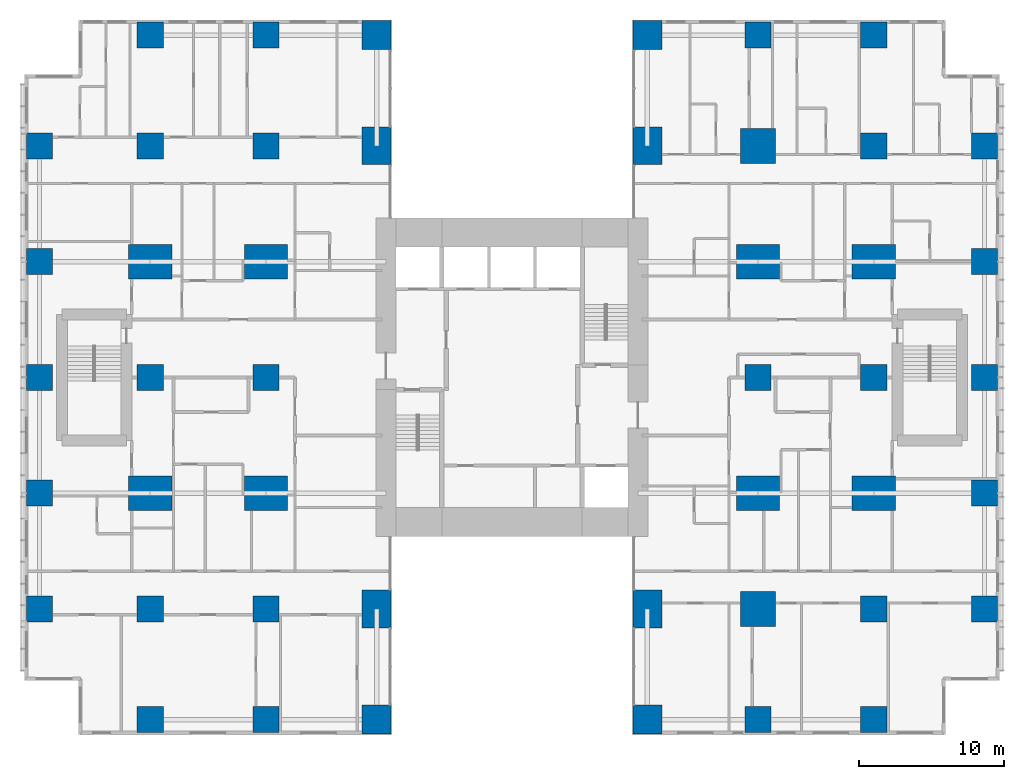
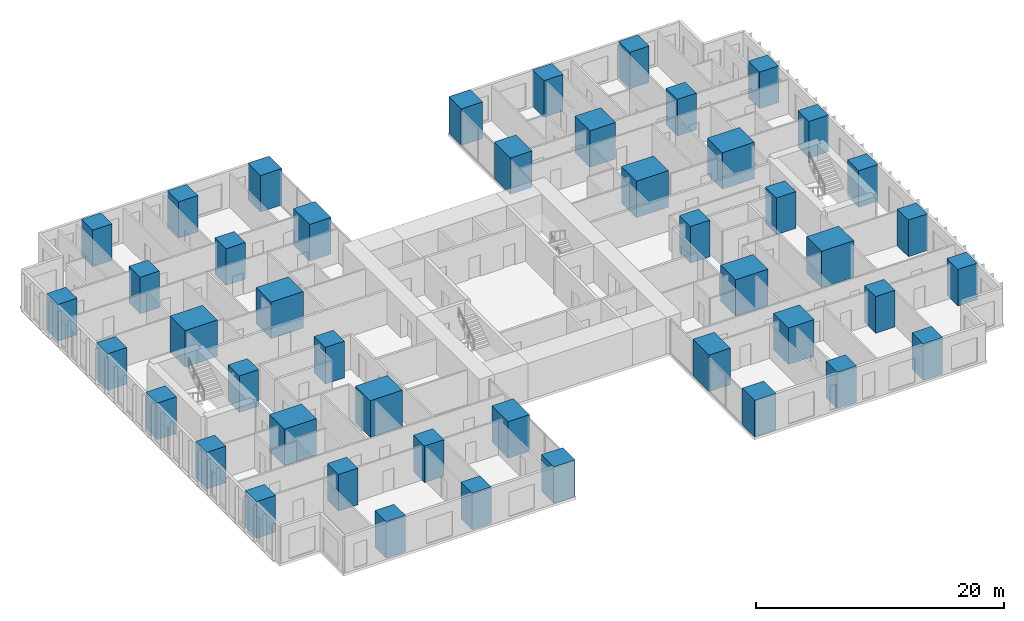
# One storey, part 1 of 20: 46 columns.
"""IFC4 building model written with IfcOpenShell, lengths in metres."""

from ifc_helpers import new_model, si_unit, direction, frame, origin, origin_2d, place, context, subcontext, project, spatial, rectangle, extrude, material, material_profile, profile_set, type_object, element, save


model = new_model("IFC4")

# Units and contexts
model_context = context("Model", 3, precision=1e-05, world=origin(), true_north=direction((0.0, 1.0)))
body_context = subcontext(model_context, "Body", "Model", "MODEL_VIEW")
ifc_project = project(units=[si_unit("LENGTHUNIT", "METRE"), si_unit("AREAUNIT", "SQUARE_METRE"), si_unit("VOLUMEUNIT", "CUBIC_METRE"), si_unit("PLANEANGLEUNIT", "RADIAN"), si_unit("MASSUNIT", "GRAM", prefix="KILO")], contexts=[model_context])

# Site, building, storey
site_placement = place(None, origin())
site = spatial("IfcSite", under=ifc_project, at=site_placement, CompositionType="ELEMENT")
building_placement = place(site_placement, origin())
building = spatial("IfcBuilding", under=site, at=building_placement, Name="Cleftline Residences", CompositionType="ELEMENT")
storey_placement = place(building_placement, frame((0.0, 0.0, 196.60009765625)))
storey = spatial("IfcBuildingStorey", under=building, at=storey_placement, Name="L51", CompositionType="ELEMENT", Elevation=196.60009765625)

# Columns
ifc_material_1 = material(Name="Concrete B70", Category="concrete")
ifc_material_profile_1 = material_profile(ifc_material_1, rectangle(XDim=1.800048828125, YDim=1.800048828125, at=origin_2d()))
ifc_profile_set_1 = profile_set([ifc_material_profile_1], Name="Concrete B70")
column_type_1 = type_object("IfcColumnType", Name="COLUMN RC1800X1800", PredefinedType="COLUMN", material=ifc_profile_set_1)
for number, where, z_axis, x_axis, name in (
    (1, (0.35009765625, 8.0, 0.0), (0.0, 0.0, 1.0), (1.0, 0.0, 0.0), "Column D/3"),
    (2, (0.35009765625, 16.0, 0.0), (0.0, 0.0, 1.0), (1.0, 0.0, 0.0), "Column E/3"),
    (3, (0.35009765625, 24.0, 0.0), (0.0, 0.0, 1.0), (1.0, 0.0, 0.0), "Column F/3"),
    (4, (0.35009765625, 32.0, 0.0), (0.0, 0.0, 1.0), (1.0, 0.0, 0.0), "Column G/3"),
    (5, (0.35009765625, 40.0, 0.0), (0.0, 0.0, 1.0), (1.0, 0.0, 0.0), "Column H/3"),
    (6, (8.0, 0.35009765625, 0.0), (0.0, 0.0, 1.0), (1.0, 0.0, 0.0), "Column C/4"),
    (7, (8.0, 8.0, 0.0), (0.0, 0.0, 1.0), (1.0, 0.0, 0.0), "Column D/4"),
    (8, (8.0, 24.0, 0.0), (0.0, 0.0, 1.0), (1.0, 0.0, 0.0), "Column F/4"),
    (9, (8.0, 40.0, 0.0), (0.0, 0.0, 1.0), (1.0, 0.0, 0.0), "Column H/4"),
    (10, (8.0, 47.64990234375, 0.0), (0.0, 0.0, 1.0), (1.0, 0.0, 0.0), "Column J/4"),
    (11, (16.0, 0.35009765625, 0.0), (0.0, 0.0, 1.0), (1.0, 0.0, 0.0), "Column C/5"),
    (12, (16.0, 8.0, 0.0), (0.0, 0.0, 1.0), (1.0, 0.0, 0.0), "Column D/5"),
    (13, (16.0, 24.0, 0.0), (0.0, 0.0, 1.0), (1.0, 0.0, 0.0), "Column F/5"),
    (14, (16.0, 40.0, 0.0), (0.0, 0.0, 1.0), (1.0, 0.0, 0.0), "Column H/5"),
    (15, (16.0, 47.64990234375, 0.0), (0.0, 0.0, 1.0), (1.0, 0.0, 0.0), "Column J/5"),
    (16, (50.0, 0.35009765625, 0.0), (0.0, 0.0, 1.0), (1.0, 0.0, 0.0), "Column C/9"),
    (17, (50.0, 24.0, 0.0), (0.0, 0.0, 1.0), (1.0, 0.0, 0.0), "Column F/9"),
    (18, (50.0, 47.64990234375, 0.0), (0.0, 0.0, 1.0), (1.0, 0.0, 0.0), "Column J/9"),
    (19, (58.0, 0.35009765625, 0.0), (0.0, 0.0, 1.0), (1.0, 0.0, 0.0), "Column C/10"),
    (20, (58.0, 8.0, 0.0), (0.0, 0.0, 1.0), (1.0, 0.0, 0.0), "Column D/10"),
    (21, (58.0, 24.0, 0.0), (0.0, 0.0, 1.0), (1.0, 0.0, 0.0), "Column F/10"),
    (22, (58.0, 40.0, 0.0), (0.0, 0.0, 1.0), (1.0, 0.0, 0.0), "Column H/10"),
    (23, (58.0, 47.64990234375, 0.0), (0.0, 0.0, 1.0), (1.0, 0.0, 0.0), "Column J/10"),
    (24, (65.64990234375, 8.0, 0.0), (0.0, 0.0, 1.0), (1.0, 0.0, 0.0), "Column D/11"),
    (25, (65.64990234375, 16.0, 0.0), (0.0, 0.0, 1.0), (1.0, 0.0, 0.0), "Column E/11"),
    (26, (65.64990234375, 24.0, 0.0), (0.0, 0.0, 1.0), (1.0, 0.0, 0.0), "Column F/11"),
    (27, (65.64990234375, 32.0, 0.0), (0.0, 0.0, 1.0), (1.0, 0.0, 0.0), "Column G/11"),
    (28, (65.64990234375, 40.0, 0.0), (0.0, 0.0, 1.0), (1.0, 0.0, 0.0), "Column H/11"),
):
    element("IfcColumn", number, at=place(storey_placement, frame(where, z_axis=z_axis, x_axis=x_axis)), inside=storey, type_object=column_type_1, Name=name, PredefinedType="COLUMN", context=body_context, shape_type="SweptSolid", body=[
        extrude(rectangle(XDim=1.800048828125, YDim=1.800048828125, at=origin_2d()), origin(), (0.0, 0.0, 1.0), 3.599853515625),
    ])
ifc_material_2 = material(Name="Concrete B70", Category="concrete")
ifc_material_profile_2 = material_profile(ifc_material_2, rectangle(XDim=2.0, YDim=2.0, at=origin_2d()))
ifc_profile_set_2 = profile_set([ifc_material_profile_2], Name="Concrete B70")
column_type_2 = type_object("IfcColumnType", Name="COLUMN RC2000X2000", PredefinedType="COLUMN", material=ifc_profile_set_2)
for number, where, z_axis, x_axis, name in (
    (29, (23.64990234375, 0.35009765625, 0.0), (0.0, 0.0, 1.0), (1.0, 0.0, 0.0), "Column C/6"),
    (30, (23.64990234375, 47.64990234375, 0.0), (0.0, 0.0, 1.0), (1.0, 0.0, 0.0), "Column J/6"),
    (31, (42.35009765625, 0.35009765625, 0.0), (0.0, 0.0, 1.0), (1.0, 0.0, 0.0), "Column C/8"),
    (32, (42.35009765625, 47.64990234375, 0.0), (0.0, 0.0, 1.0), (1.0, 0.0, 0.0), "Column J/8"),
):
    element("IfcColumn", number, at=place(storey_placement, frame(where, z_axis=z_axis, x_axis=x_axis)), inside=storey, type_object=column_type_2, Name=name, PredefinedType="COLUMN", context=body_context, shape_type="SweptSolid", body=[
        extrude(rectangle(XDim=2.0, YDim=2.0, at=origin_2d()), origin(), (0.0, 0.0, 1.0), 3.599853515625),
    ])
ifc_material_3 = material(Name="Concrete B70", Category="concrete")
ifc_material_profile_3 = material_profile(ifc_material_3, rectangle(XDim=2.0, YDim=2.60009765625, at=origin_2d()))
ifc_profile_set_3 = profile_set([ifc_material_profile_3], Name="Concrete B70")
column_type_3 = type_object("IfcColumnType", Name="COLUMN RC2000X2600", PredefinedType="COLUMN", material=ifc_profile_set_3)
for number, where, z_axis, x_axis, name in (
    (33, (23.64990234375, 8.0, 0.0), (0.0, 0.0, 1.0), (1.0, 0.0, 0.0), "Column D/6"),
    (34, (23.64990234375, 40.0, 0.0), (0.0, 0.0, 1.0), (1.0, 0.0, 0.0), "Column H/6"),
    (35, (42.35009765625, 8.0, 0.0), (0.0, 0.0, 1.0), (1.0, 0.0, 0.0), "Column D/8"),
    (36, (42.35009765625, 40.0, 0.0), (0.0, 0.0, 1.0), (1.0, 0.0, 0.0), "Column H/8"),
):
    element("IfcColumn", number, at=place(storey_placement, frame(where, z_axis=z_axis, x_axis=x_axis)), inside=storey, type_object=column_type_3, Name=name, PredefinedType="COLUMN", context=body_context, shape_type="SweptSolid", body=[
        extrude(rectangle(XDim=2.0, YDim=2.60009765625, at=origin_2d()), origin(), (0.0, 0.0, 1.0), 3.599853515625),
    ])
ifc_material_4 = material(Name="Concrete B70", Category="concrete")
ifc_material_profile_4 = material_profile(ifc_material_4, rectangle(XDim=2.39990234375, YDim=2.39990234375, at=origin_2d()))
ifc_profile_set_4 = profile_set([ifc_material_profile_4], Name="Concrete B70")
column_type_4 = type_object("IfcColumnType", Name="COLUMN RC2400X2400", PredefinedType="COLUMN", material=ifc_profile_set_4)
for number, where, z_axis, x_axis, name in (
    (37, (50.0, 8.0, 0.0), (0.0, 0.0, 1.0), (1.0, 0.0, 0.0), "Column D/9"),
    (38, (50.0, 40.0, 0.0), (0.0, 0.0, 1.0), (1.0, 0.0, 0.0), "Column H/9"),
):
    element("IfcColumn", number, at=place(storey_placement, frame(where, z_axis=z_axis, x_axis=x_axis)), inside=storey, type_object=column_type_4, Name=name, PredefinedType="COLUMN", context=body_context, shape_type="SweptSolid", body=[
        extrude(rectangle(XDim=2.39990234375, YDim=2.39990234375, at=origin_2d()), origin(), (0.0, 0.0, 1.0), 3.599853515625),
    ])
ifc_material_5 = material(Name="Concrete B70", Category="concrete")
ifc_material_profile_5 = material_profile(ifc_material_5, rectangle(XDim=3.0, YDim=2.39990234375, at=origin_2d()))
ifc_profile_set_5 = profile_set([ifc_material_profile_5], Name="Concrete B70")
column_type_5 = type_object("IfcColumnType", Name="COLUMN RC3000X2400", PredefinedType="COLUMN", material=ifc_profile_set_5)
for number, where, z_axis, x_axis, name in (
    (39, (8.0, 16.0, 0.0), (0.0, 0.0, 1.0), (1.0, 0.0, 0.0), "Column E/4"),
    (40, (8.0, 32.0, 0.0), (0.0, 0.0, 1.0), (1.0, 0.0, 0.0), "Column G/4"),
    (41, (16.0, 16.0, 0.0), (0.0, 0.0, 1.0), (1.0, 0.0, 0.0), "Column E/5"),
    (42, (16.0, 32.0, 0.0), (0.0, 0.0, 1.0), (1.0, 0.0, 0.0), "Column G/5"),
    (43, (50.0, 16.0, 0.0), (0.0, 0.0, 1.0), (1.0, 0.0, 0.0), "Column E/9"),
    (44, (50.0, 32.0, 0.0), (0.0, 0.0, 1.0), (1.0, 0.0, 0.0), "Column G/9"),
    (45, (58.0, 16.0, 0.0), (0.0, 0.0, 1.0), (1.0, 0.0, 0.0), "Column E/10"),
    (46, (58.0, 32.0, 0.0), (0.0, 0.0, 1.0), (1.0, 0.0, 0.0), "Column G/10"),
):
    element("IfcColumn", number, at=place(storey_placement, frame(where, z_axis=z_axis, x_axis=x_axis)), inside=storey, type_object=column_type_5, Name=name, PredefinedType="COLUMN", context=body_context, shape_type="SweptSolid", body=[
        extrude(rectangle(XDim=3.0, YDim=2.39990234375, at=origin_2d()), origin(), (0.0, 0.0, 1.0), 3.599853515625),
    ])

save(model, "model.ifc")
